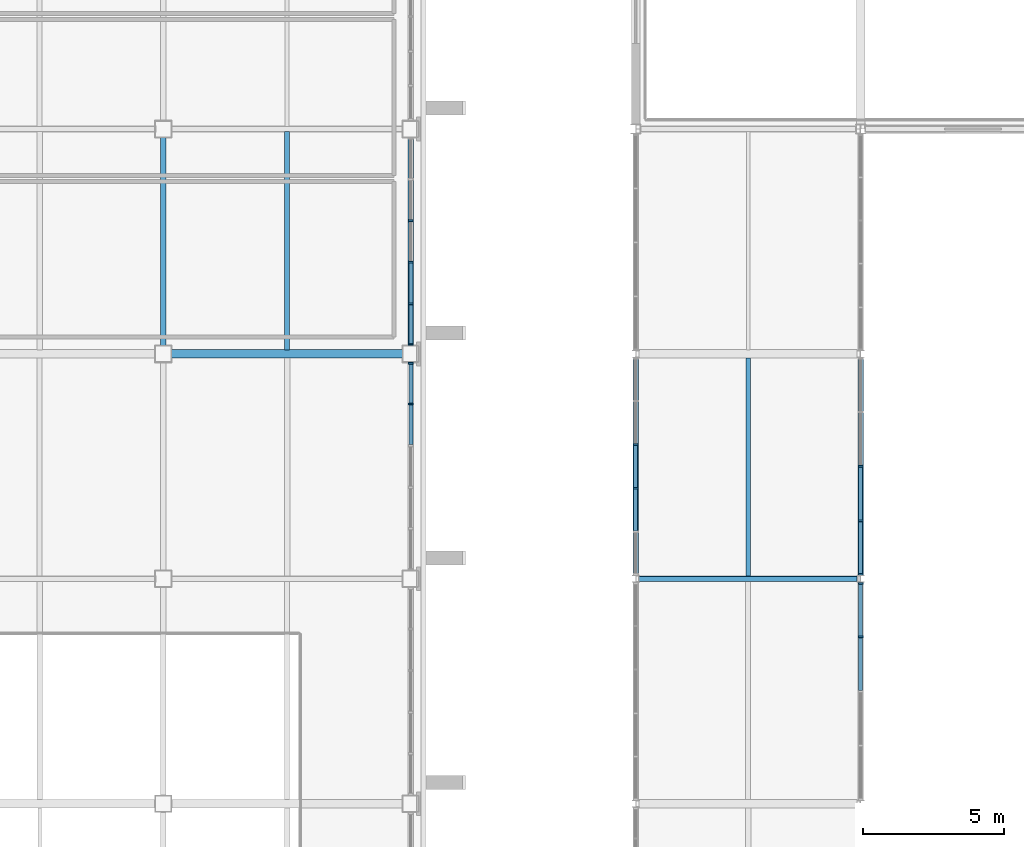
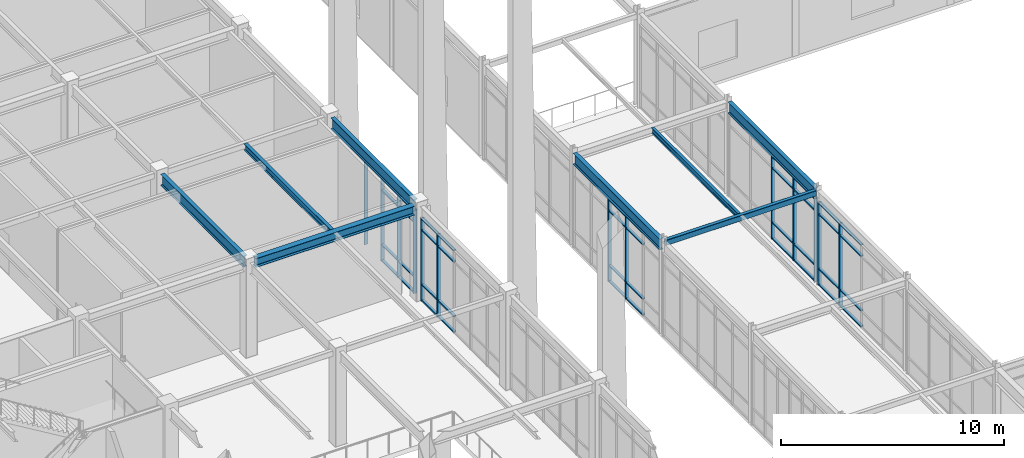
# One storey, part 42 of 184: 53 members, 8 beams, 5 elements without a shape of their own.
"""IFC4 building model written with IfcOpenShell, lengths in metres."""

import ifcopenshell
import ifcopenshell.guid

model = None  # the IFC model being written
_history = None  # IfcOwnerHistory: only IFC2X3 demands one
_inside = {}  # id of a spatial element -> (the spatial element, [elements in it])
_under = {}  # id of a project, library or spatial element -> (it, [spatial elements below it])
_declared = {}  # id of a project -> (the project, [libraries it declares])
_typed = {}  # id of a type object -> (the type object, [elements of that type])
_made_of = {}  # id of a material, layer set ... -> (it, [elements and type objects made of it])


def new_model(schema):
    """Start an empty IFC model of exactly this schema.

    Asked for "IFC4X3", IfcOpenShell would pick the latest addendum, in which some entities
    have other attributes; the version numbers below select the first issue.
    IFC2X3 requires an IfcOwnerHistory on every rooted entity: one is made here for all.
    """
    global model, _history
    if schema == "IFC4X3":
        model = ifcopenshell.file(schema_version=(4, 3, 0, 0))
    else:
        model = ifcopenshell.file(schema=schema)
    _inside.clear()
    _under.clear()
    _declared.clear()
    _typed.clear()
    _made_of.clear()
    _history = None
    if model.schema == "IFC2X3":
        org = make("IfcOrganization", Name="unknown")
        user = make(
            "IfcPersonAndOrganization",
            ThePerson=make("IfcPerson", FamilyName="unknown"),
            TheOrganization=org,
        )
        app = make(
            "IfcApplication",
            ApplicationDeveloper=org,
            Version="unknown",
            ApplicationFullName="unknown",
            ApplicationIdentifier="unknown",
        )
        _history = make(
            "IfcOwnerHistory",
            OwningUser=user,
            OwningApplication=app,
            ChangeAction="ADDED",
            CreationDate=0,
        )
    return model


def make(cls, **values):
    """One entity of the class cls with the attributes given. An attribute that is None is left unset."""
    return model.create_entity(
        cls, **{name: value for name, value in values.items() if value is not None}
    )


def rooted(cls, **values):
    """An entity with a GlobalId (a new one), such as an element, a storey or a relation."""
    return make(cls, GlobalId=ifcopenshell.guid.new(), OwnerHistory=_history, **values)


def si_unit(unit_type, name, prefix=None):
    """IfcSIUnit, for example si_unit("LENGTHUNIT", "METRE", prefix="MILLI")."""
    return make("IfcSIUnit", UnitType=unit_type, Prefix=prefix, Name=name)


def assignment(units):
    """IfcUnitAssignment: the units of a project."""
    return None if units is None else make("IfcUnitAssignment", Units=units)


def point(xyz):
    """IfcCartesianPoint."""
    return None if xyz is None else make("IfcCartesianPoint", Coordinates=xyz)


def direction(xyz):
    """IfcDirection."""
    return None if xyz is None else make("IfcDirection", DirectionRatios=xyz)


def frame(location, z_axis=None, x_axis=None):
    """IfcAxis2Placement3D, a coordinate frame: its origin and axes. An axis left out is left unset."""
    return make(
        "IfcAxis2Placement3D",
        Location=point(location),
        Axis=direction(z_axis),
        RefDirection=direction(x_axis),
    )


def frame_2d(location, x_axis=None):
    """IfcAxis2Placement2D, a coordinate frame in the plane: its origin and x axis."""
    return make(
        "IfcAxis2Placement2D", Location=point(location), RefDirection=direction(x_axis)
    )


def origin():
    """The frame at (0, 0, 0) with its axes left unset."""
    return frame((0.0, 0.0, 0.0))


def origin_2d():
    """The frame at (0, 0) in the plane with its x axis left unset."""
    return frame_2d((0.0, 0.0))


def place(relative_to, where):
    """IfcLocalPlacement: puts the frame where relative to a parent placement (None: the world)."""
    return make(
        "IfcLocalPlacement", PlacementRelTo=relative_to, RelativePlacement=where
    )


def context(
    kind, dimensions, precision=None, world=None, true_north=None, identifier=None
):
    """IfcGeometricRepresentationContext, for example the 3D "Model" context."""
    return make(
        "IfcGeometricRepresentationContext",
        ContextIdentifier=identifier,
        ContextType=kind,
        CoordinateSpaceDimension=dimensions,
        Precision=precision,
        WorldCoordinateSystem=world,
        TrueNorth=true_north,
    )


def subcontext(parent, identifier, kind, view, scale=None):
    """IfcGeometricRepresentationSubContext, for example "Body" below "Model"."""
    return make(
        "IfcGeometricRepresentationSubContext",
        ContextIdentifier=identifier,
        ContextType=kind,
        ParentContext=parent,
        TargetScale=scale,
        TargetView=view,
    )


def project(units=None, contexts=None):
    """IfcProject with its units and contexts."""
    return rooted(
        "IfcProject",
        Name="project",
        RepresentationContexts=contexts,
        UnitsInContext=assignment(units),
    )


def spatial(cls, under=None, at=None, **own):
    """A site, building, storey or space (cls), placed at a placement, below another one or the project."""
    s = rooted(cls, ObjectPlacement=at, **own)
    if under is not None:
        _under.setdefault(under.id(), (under, []))[1].append(s)
    return s


def profile(cls, at=None, kind="AREA", **sizes):
    """A parametric profile (cls). Its sizes go by their IFC names, for example OverallWidth=200.0."""
    return make(cls, ProfileType=kind, Position=at, **sizes)


def rectangle(**sizes):
    """IfcRectangleProfileDef."""
    return profile("IfcRectangleProfileDef", **sizes)


def hollow_rectangle(**sizes):
    """IfcRectangleHollowProfileDef."""
    return profile("IfcRectangleHollowProfileDef", **sizes)


def i_section(**sizes):
    """IfcIShapeProfileDef."""
    return profile("IfcIShapeProfileDef", **sizes)


def extrude(swept, where, along, depth):
    """IfcExtrudedAreaSolid: the profile swept, set in the frame where, extruded along a direction by depth."""
    return make(
        "IfcExtrudedAreaSolid",
        SweptArea=swept,
        Position=where,
        ExtrudedDirection=direction(along),
        Depth=depth,
    )


def shape(context_of_items, identifier, shape_type, items):
    """IfcShapeRepresentation: the items that make up one representation, for example the "Body"."""
    return make(
        "IfcShapeRepresentation",
        ContextOfItems=context_of_items,
        RepresentationIdentifier=identifier,
        RepresentationType=shape_type,
        Items=items,
    )


def material(Name=None, Category=None):
    """IfcMaterial."""
    return make("IfcMaterial", Name=Name, Category=Category)


def material_profile(
    of_material, cross_section, Name=None, Category=None, Priority=None
):
    """IfcMaterialProfile: a cross section and its material."""
    return make(
        "IfcMaterialProfile",
        Name=Name,
        Material=of_material,
        Profile=cross_section,
        Priority=Priority,
        Category=Category,
    )


def profile_set(profiles, Name=None, composite=None):
    """IfcMaterialProfileSet."""
    return make(
        "IfcMaterialProfileSet",
        Name=Name,
        MaterialProfiles=profiles,
        CompositeProfile=composite,
    )


def made_of(thing, what):
    """Note that an element or type object is made of a material, layer set ...; save() writes the relation."""
    if what is not None:
        _made_of.setdefault(what.id(), (what, []))[1].append(thing)
    return thing


def type_object(cls, material=None, **own):
    """A type object (cls), such as IfcWallType, which elements share."""
    return made_of(rooted(cls, **own), material)


def element(
    cls,
    number,
    at=None,
    inside=None,
    cuts=None,
    type_object=None,
    material=None,
    context=None,
    identifier="Body",
    shape_type=None,
    held_by="IfcProductDefinitionShape",
    body=None,
    shapes=None,
    **own,
):
    """One element of the class cls, such as IfcWall. Its Tag is "e" and its number.

    at: its placement. inside: the storey or other place that contains it. cuts: it is an
    opening in that element (IfcRelVoidsElement). A single representation is given by context,
    identifier, shape_type and body (its items); several are given by shapes. held_by: the class
    of the entity that holds the representations. save() writes the other relations.
    """
    e = rooted(cls, Tag="e%d" % number, ObjectPlacement=at, **own)
    if body is not None:
        shapes = [shape(context, identifier, shape_type, body)]
    if shapes is not None:
        e.Representation = make(held_by, Representations=shapes)
    if inside is not None:
        _inside.setdefault(inside.id(), (inside, []))[1].append(e)
    if cuts is not None:
        rooted(
            "IfcRelVoidsElement", RelatingBuildingElement=cuts, RelatedOpeningElement=e
        )
    if type_object is not None:
        _typed.setdefault(type_object.id(), (type_object, []))[1].append(e)
    return made_of(e, material)


def aggregate(whole, parts):
    """IfcRelAggregates: a whole, such as a stair, and the parts it consists of."""
    return rooted("IfcRelAggregates", RelatingObject=whole, RelatedObjects=parts)


def save(model, path):
    """Write the relations noted so far, then the file.

    IfcRelAggregates (storeys below a building ...), IfcRelContainedInSpatialStructure (elements
    in a storey), IfcRelDefinesByType, IfcRelAssociatesMaterial and IfcRelDeclares: one each for
    every whole, place, type object, material and project.
    """
    for whole, parts in _under.values():
        aggregate(whole, parts)
    for where, things in _inside.values():
        rooted(
            "IfcRelContainedInSpatialStructure",
            RelatedElements=things,
            RelatingStructure=where,
        )
    for kind, things in _typed.values():
        rooted("IfcRelDefinesByType", RelatedObjects=things, RelatingType=kind)
    for what, things in _made_of.values():
        rooted("IfcRelAssociatesMaterial", RelatedObjects=things, RelatingMaterial=what)
    for by, libraries in _declared.values():
        rooted("IfcRelDeclares", RelatingContext=by, RelatedDefinitions=libraries)
    model.write(path)


model = new_model("IFC4")

# Units and contexts
model_context = context("Model", 3, precision=1e-05, world=origin(), true_north=direction((0.0, 1.0)))
body_context = subcontext(model_context, "Body", "Model", "MODEL_VIEW")
ifc_project = project(units=[si_unit("LENGTHUNIT", "METRE"), si_unit("AREAUNIT", "SQUARE_METRE"), si_unit("VOLUMEUNIT", "CUBIC_METRE"), si_unit("PLANEANGLEUNIT", "RADIAN"), si_unit("MASSUNIT", "GRAM", prefix="KILO")], contexts=[model_context])

# Site, building, storey
site_placement = place(None, origin())
site = spatial("IfcSite", under=ifc_project, at=site_placement, CompositionType="ELEMENT")
building_placement = place(site_placement, origin())
building = spatial("IfcBuilding", under=site, at=building_placement, Name="Zhaolan Boulevard Law Courts", CompositionType="ELEMENT")
storey_placement = place(building_placement, frame((0.0, 0.0, 5.39990234375)))
storey = spatial("IfcBuildingStorey", under=building, at=storey_placement, Name="L01", CompositionType="ELEMENT", Elevation=5.39990234375)

# Curtain wall, members
ifc_material_1 = material(Name="Thermally broken aluminium and low-E glazing", Category="aluminium")
curtain_wall_type_1 = type_object("IfcCurtainWallType", Name="CURTAIN WALL M20", PredefinedType="USERDEFINED", material=ifc_material_1)
curtain_wall_1_placement = place(storey_placement, origin())
curtain_wall_1 = element("IfcCurtainWall", 1, at=curtain_wall_1_placement, inside=storey, type_object=curtain_wall_type_1, Name="Curtain Wall CW-L01-068", ObjectType="CURTAIN WALL", PredefinedType="USERDEFINED")
ifc_material_2 = material(Name="Fluorocarbon-coated aluminium 6063-T6", Category="aluminium")
ifc_material_profile_1 = material_profile(ifc_material_2, rectangle(XDim=0.179931640625, YDim=0.06494140625, at=origin_2d()), Name="AL65x180")
ifc_profile_set_1 = profile_set([ifc_material_profile_1], Name="Fluorocarbon-coated aluminium 6063-T6")
member_type_1 = type_object("IfcMemberType", Name="CWMULLION 65X180", PredefinedType="MULLION", material=ifc_profile_set_1)
member_1_placement = place(storey_placement, frame((52.0, 50.774658203125, 0.0), z_axis=(0.0, 0.0, 1.0), x_axis=(1.0, 0.0, 0.0)))
member_1 = element("IfcMember", 2, at=member_1_placement, type_object=member_type_1, Name="CW-L01-068 mullion 3", PredefinedType="MULLION", context=body_context, shape_type="SweptSolid", body=[
    extrude(rectangle(XDim=0.179931640625, YDim=0.06494140625, at=origin_2d()), origin(), (0.0, 0.0, 1.0), 4.533203125),
])
member_2_placement = place(storey_placement, frame((52.0, 49.225341796875, 0.0), z_axis=(0.0, 0.0, 1.0), x_axis=(1.0, 0.0, 0.0)))
member_2 = element("IfcMember", 3, at=member_2_placement, type_object=member_type_1, Name="CW-L01-068 mullion 4", PredefinedType="MULLION", context=body_context, shape_type="SweptSolid", body=[
    extrude(rectangle(XDim=0.179931640625, YDim=0.06494140625, at=origin_2d()), origin(), (0.0, 0.0, 1.0), 4.533203125),
])

ifc_material_3 = material(Name="Thermally broken aluminium and low-E glazing", Category="aluminium")
curtain_wall_type_2 = type_object("IfcCurtainWallType", Name="CURTAIN WALL M23", PredefinedType="USERDEFINED", material=ifc_material_3)
curtain_wall_2_placement = place(storey_placement, origin())
curtain_wall_2 = element("IfcCurtainWall", 4, at=curtain_wall_2_placement, inside=storey, type_object=curtain_wall_type_2, Name="Curtain Wall CW-L01-071", ObjectType="CURTAIN WALL", PredefinedType="USERDEFINED")
member_3_placement = place(storey_placement, frame((60.0, 43.9365234375, 0.0), z_axis=(0.0, 0.0, 1.0), x_axis=(-1.0, 0.0, 0.0)))
member_3 = element("IfcMember", 5, at=member_3_placement, type_object=member_type_1, Name="CW-L01-071 mullion 4", PredefinedType="MULLION", context=body_context, shape_type="SweptSolid", body=[
    extrude(rectangle(XDim=0.179931640625, YDim=0.06494140625, at=origin_2d()), origin(), (0.0, 0.0, 1.0), 4.533203125),
])
member_4_placement = place(storey_placement, frame((60.0, 45.840576171875, 0.0), z_axis=(0.0, 0.0, 1.0), x_axis=(-1.0, 0.0, 0.0)))
member_4 = element("IfcMember", 6, at=member_4_placement, type_object=member_type_1, Name="CW-L01-071 mullion 5", PredefinedType="MULLION", context=body_context, shape_type="SweptSolid", body=[
    extrude(rectangle(XDim=0.179931640625, YDim=0.06494140625, at=origin_2d()), origin(), (0.0, 0.0, 1.0), 4.533203125),
])

ifc_material_4 = material(Name="Thermally broken aluminium and low-E glazing", Category="aluminium")
curtain_wall_type_3 = type_object("IfcCurtainWallType", Name="CURTAIN WALL M24", PredefinedType="USERDEFINED", material=ifc_material_4)
curtain_wall_3_placement = place(storey_placement, origin())
curtain_wall_3 = element("IfcCurtainWall", 7, at=curtain_wall_3_placement, inside=storey, type_object=curtain_wall_type_3, Name="Curtain Wall CW-L01-072", ObjectType="CURTAIN WALL", PredefinedType="USERDEFINED")
member_5_placement = place(storey_placement, frame((60.0, 46.159423828125, 0.0), z_axis=(0.0, 0.0, 1.0), x_axis=(-1.0, 0.0, 0.0)))
member_5 = element("IfcMember", 8, at=member_5_placement, type_object=member_type_1, Name="CW-L01-072 mullion 1", PredefinedType="MULLION", context=body_context, shape_type="SweptSolid", body=[
    extrude(rectangle(XDim=0.179931640625, YDim=0.06494140625, at=origin_2d()), origin(), (0.0, 0.0, 1.0), 4.533203125),
])
member_6_placement = place(storey_placement, frame((60.0, 48.0634765625, 0.0), z_axis=(0.0, 0.0, 1.0), x_axis=(-1.0, 0.0, 0.0)))
member_6 = element("IfcMember", 9, at=member_6_placement, type_object=member_type_1, Name="CW-L01-072 mullion 2", PredefinedType="MULLION", context=body_context, shape_type="SweptSolid", body=[
    extrude(rectangle(XDim=0.179931640625, YDim=0.06494140625, at=origin_2d()), origin(), (0.0, 0.0, 1.0), 4.533203125),
])
member_7_placement = place(storey_placement, frame((60.0, 50.0, 0.0), z_axis=(0.0, 0.0, 1.0), x_axis=(-1.0, 0.0, 0.0)))
member_7 = element("IfcMember", 10, at=member_7_placement, type_object=member_type_1, Name="CW-L01-072 mullion 3", PredefinedType="MULLION", context=body_context, shape_type="SweptSolid", body=[
    extrude(rectangle(XDim=0.179931640625, YDim=0.06494140625, at=origin_2d()), origin(), (0.0, 0.0, 1.0), 4.533203125),
])

ifc_material_5 = material(Name="Thermally broken aluminium and low-E glazing", Category="aluminium")
curtain_wall_type_4 = type_object("IfcCurtainWallType", Name="CURTAIN WALL M3", PredefinedType="USERDEFINED", material=ifc_material_5)
curtain_wall_4_placement = place(storey_placement, origin())
curtain_wall_4 = element("IfcCurtainWall", 11, at=curtain_wall_4_placement, inside=storey, type_object=curtain_wall_type_4, Name="Curtain Wall CW-L01-147", ObjectType="CURTAIN WALL", PredefinedType="USERDEFINED")
member_8_placement = place(storey_placement, frame((44.0, 52.21875, 0.0), z_axis=(0.0, 0.0, 1.0), x_axis=(-1.0, 0.0, 0.0)))
member_8 = element("IfcMember", 12, at=member_8_placement, type_object=member_type_1, Name="CW-L01-147 mullion 5", PredefinedType="MULLION", context=body_context, shape_type="SweptSolid", body=[
    extrude(rectangle(XDim=0.179931640625, YDim=0.06494140625, at=origin_2d()), origin(), (0.0, 0.0, 1.0), 4.523193359375),
])
member_9_placement = place(storey_placement, frame((44.0, 53.66552734375, 0.0), z_axis=(0.0, 0.0, 1.0), x_axis=(-1.0, 0.0, 0.0)))
member_9 = element("IfcMember", 13, at=member_9_placement, type_object=member_type_1, Name="CW-L01-147 mullion 6", PredefinedType="MULLION", context=body_context, shape_type="SweptSolid", body=[
    extrude(rectangle(XDim=0.179931640625, YDim=0.06494140625, at=origin_2d()), origin(), (0.0, 0.0, 1.0), 4.523193359375),
])

ifc_material_6 = material(Name="Thermally broken aluminium and low-E glazing", Category="aluminium")
curtain_wall_type_5 = type_object("IfcCurtainWallType", Name="CURTAIN WALL M4", PredefinedType="USERDEFINED", material=ifc_material_6)
curtain_wall_5_placement = place(storey_placement, origin())
curtain_wall_5 = element("IfcCurtainWall", 14, at=curtain_wall_5_placement, inside=storey, type_object=curtain_wall_type_5, Name="Curtain Wall CW-L01-148", ObjectType="CURTAIN WALL", PredefinedType="USERDEFINED")
member_10_placement = place(storey_placement, frame((44.0, 54.33447265625, 0.0), z_axis=(0.0, 0.0, 1.0), x_axis=(-1.0, 0.0, 0.0)))
member_10 = element("IfcMember", 15, at=member_10_placement, type_object=member_type_1, Name="CW-L01-148 mullion 1", PredefinedType="MULLION", context=body_context, shape_type="SweptSolid", body=[
    extrude(rectangle(XDim=0.179931640625, YDim=0.06494140625, at=origin_2d()), origin(), (0.0, 0.0, 1.0), 4.523193359375),
])
member_11_placement = place(storey_placement, frame((44.0, 55.78125, 0.0), z_axis=(0.0, 0.0, 1.0), x_axis=(-1.0, 0.0, 0.0)))
member_11 = element("IfcMember", 16, at=member_11_placement, type_object=member_type_1, Name="CW-L01-148 mullion 2", PredefinedType="MULLION", context=body_context, shape_type="SweptSolid", body=[
    extrude(rectangle(XDim=0.179931640625, YDim=0.06494140625, at=origin_2d()), origin(), (0.0, 0.0, 1.0), 4.523193359375),
])
member_12_placement = place(storey_placement, frame((44.0, 57.260498046875, 0.0), z_axis=(0.0, 0.0, 1.0), x_axis=(-1.0, 0.0, 0.0)))
member_12 = element("IfcMember", 17, at=member_12_placement, type_object=member_type_1, Name="CW-L01-148 mullion 3", PredefinedType="MULLION", context=body_context, shape_type="SweptSolid", body=[
    extrude(rectangle(XDim=0.179931640625, YDim=0.06494140625, at=origin_2d()), origin(), (0.0, 0.0, 1.0), 4.523193359375),
])
member_13_placement = place(storey_placement, frame((44.0, 58.739501953125, 0.0), z_axis=(0.0, 0.0, 1.0), x_axis=(-1.0, 0.0, 0.0)))
member_13 = element("IfcMember", 18, at=member_13_placement, type_object=member_type_1, Name="CW-L01-148 mullion 4", PredefinedType="MULLION", context=body_context, shape_type="SweptSolid", body=[
    extrude(rectangle(XDim=0.179931640625, YDim=0.06494140625, at=origin_2d()), origin(), (0.0, 0.0, 1.0), 4.523193359375),
])

# Member
ifc_material_7 = material(Name="Fluorocarbon-coated aluminium 6063-T6", Category="aluminium")
ifc_material_profile_2 = material_profile(ifc_material_7, rectangle(XDim=0.139892578125, YDim=0.06494140625, at=origin_2d()), Name="AL65x140")
ifc_profile_set_2 = profile_set([ifc_material_profile_2], Name="Fluorocarbon-coated aluminium 6063-T6")
member_type_2 = type_object("IfcMemberType", Name="CWTRANSOM 65X140", PredefinedType="USERDEFINED", material=ifc_profile_set_2)
member_14_placement = place(storey_placement, frame((52.0, 50.7421875, 0.03271484375), z_axis=(0.0, -1.0, 0.0), x_axis=(1.0, 0.0, 0.0)))
member_14 = element("IfcMember", 19, at=member_14_placement, type_object=member_type_2, Name="CW-L01-068 transom 3.1", ObjectType="TRANSOM", PredefinedType="USERDEFINED", context=body_context, shape_type="SweptSolid", body=[
    extrude(rectangle(XDim=0.139892578125, YDim=0.06494140625, at=origin_2d()), origin(), (0.0, 0.0, 1.0), 1.484375),
])

member_15_placement = place(storey_placement, frame((52.0, 50.7421875, 0.900146484375), z_axis=(0.0, -1.0, 0.0), x_axis=(1.0, 0.0, 0.0)))
member_15 = element("IfcMember", 20, at=member_15_placement, type_object=member_type_2, Name="CW-L01-068 transom 3.2", ObjectType="TRANSOM", PredefinedType="USERDEFINED", context=body_context, shape_type="SweptSolid", body=[
    extrude(rectangle(XDim=0.139892578125, YDim=0.06494140625, at=origin_2d()), origin(), (0.0, 0.0, 1.0), 1.484375),
])

member_16_placement = place(storey_placement, frame((52.0, 50.7421875, 3.883056640625), z_axis=(0.0, -1.0, 0.0), x_axis=(1.0, 0.0, 0.0)))
member_16 = element("IfcMember", 21, at=member_16_placement, type_object=member_type_2, Name="CW-L01-068 transom 3.3", ObjectType="TRANSOM", PredefinedType="USERDEFINED", context=body_context, shape_type="SweptSolid", body=[
    extrude(rectangle(XDim=0.139892578125, YDim=0.06494140625, at=origin_2d()), origin(), (0.0, 0.0, 1.0), 1.484375),
])

member_17_placement = place(storey_placement, frame((52.0, 50.7421875, 4.50048828125), z_axis=(0.0, -1.0, 0.0), x_axis=(1.0, 0.0, 0.0)))
member_17 = element("IfcMember", 22, at=member_17_placement, type_object=member_type_2, Name="CW-L01-068 transom 3.4", ObjectType="TRANSOM", PredefinedType="USERDEFINED", context=body_context, shape_type="SweptSolid", body=[
    extrude(rectangle(XDim=0.139892578125, YDim=0.06494140625, at=origin_2d()), origin(), (0.0, 0.0, 1.0), 1.484375),
])

member_18_placement = place(storey_placement, frame((52.0, 49.19287109375, 0.03271484375), z_axis=(0.0, -1.0, 0.0), x_axis=(1.0, 0.0, 0.0)))
member_18 = element("IfcMember", 23, at=member_18_placement, type_object=member_type_2, Name="CW-L01-068 transom 4.1", ObjectType="TRANSOM", PredefinedType="USERDEFINED", context=body_context, shape_type="SweptSolid", body=[
    extrude(rectangle(XDim=0.139892578125, YDim=0.06494140625, at=origin_2d()), origin(), (0.0, 0.0, 1.0), 1.484130859375),
])

member_19_placement = place(storey_placement, frame((52.0, 49.19287109375, 0.900146484375), z_axis=(0.0, -1.0, 0.0), x_axis=(1.0, 0.0, 0.0)))
member_19 = element("IfcMember", 24, at=member_19_placement, type_object=member_type_2, Name="CW-L01-068 transom 4.2", ObjectType="TRANSOM", PredefinedType="USERDEFINED", context=body_context, shape_type="SweptSolid", body=[
    extrude(rectangle(XDim=0.139892578125, YDim=0.06494140625, at=origin_2d()), origin(), (0.0, 0.0, 1.0), 1.484130859375),
])

member_20_placement = place(storey_placement, frame((52.0, 49.19287109375, 3.883056640625), z_axis=(0.0, -1.0, 0.0), x_axis=(1.0, 0.0, 0.0)))
member_20 = element("IfcMember", 25, at=member_20_placement, type_object=member_type_2, Name="CW-L01-068 transom 4.3", ObjectType="TRANSOM", PredefinedType="USERDEFINED", context=body_context, shape_type="SweptSolid", body=[
    extrude(rectangle(XDim=0.139892578125, YDim=0.06494140625, at=origin_2d()), origin(), (0.0, 0.0, 1.0), 1.484130859375),
])

member_21_placement = place(storey_placement, frame((52.0, 49.19287109375, 4.50048828125), z_axis=(0.0, -1.0, 0.0), x_axis=(1.0, 0.0, 0.0)))
member_21 = element("IfcMember", 26, at=member_21_placement, type_object=member_type_2, Name="CW-L01-068 transom 4.4", ObjectType="TRANSOM", PredefinedType="USERDEFINED", context=body_context, shape_type="SweptSolid", body=[
    extrude(rectangle(XDim=0.139892578125, YDim=0.06494140625, at=origin_2d()), origin(), (0.0, 0.0, 1.0), 1.484130859375),
])

aggregate(curtain_wall_1, [member_1, member_2, member_14, member_15, member_16, member_17, member_18, member_19, member_20, member_21])

member_22_placement = place(storey_placement, frame((60.0, 42.032470703125, 0.03271484375), z_axis=(0.0, 1.0, 0.0), x_axis=(-1.0, 0.0, 0.0)))
member_22 = element("IfcMember", 27, at=member_22_placement, type_object=member_type_2, Name="CW-L01-071 transom 3.1", ObjectType="TRANSOM", PredefinedType="USERDEFINED", context=body_context, shape_type="SweptSolid", body=[
    extrude(rectangle(XDim=0.139892578125, YDim=0.06494140625, at=origin_2d()), origin(), (0.0, 0.0, 1.0), 1.87158203125),
])

member_23_placement = place(storey_placement, frame((60.0, 42.032470703125, 0.900146484375), z_axis=(0.0, 1.0, 0.0), x_axis=(-1.0, 0.0, 0.0)))
member_23 = element("IfcMember", 28, at=member_23_placement, type_object=member_type_2, Name="CW-L01-071 transom 3.2", ObjectType="TRANSOM", PredefinedType="USERDEFINED", context=body_context, shape_type="SweptSolid", body=[
    extrude(rectangle(XDim=0.139892578125, YDim=0.06494140625, at=origin_2d()), origin(), (0.0, 0.0, 1.0), 1.87158203125),
])

member_24_placement = place(storey_placement, frame((60.0, 42.032470703125, 3.883056640625), z_axis=(0.0, 1.0, 0.0), x_axis=(-1.0, 0.0, 0.0)))
member_24 = element("IfcMember", 29, at=member_24_placement, type_object=member_type_2, Name="CW-L01-071 transom 3.3", ObjectType="TRANSOM", PredefinedType="USERDEFINED", context=body_context, shape_type="SweptSolid", body=[
    extrude(rectangle(XDim=0.139892578125, YDim=0.06494140625, at=origin_2d()), origin(), (0.0, 0.0, 1.0), 1.87158203125),
])

member_25_placement = place(storey_placement, frame((60.0, 42.032470703125, 4.50048828125), z_axis=(0.0, 1.0, 0.0), x_axis=(-1.0, 0.0, 0.0)))
member_25 = element("IfcMember", 30, at=member_25_placement, type_object=member_type_2, Name="CW-L01-071 transom 3.4", ObjectType="TRANSOM", PredefinedType="USERDEFINED", context=body_context, shape_type="SweptSolid", body=[
    extrude(rectangle(XDim=0.139892578125, YDim=0.06494140625, at=origin_2d()), origin(), (0.0, 0.0, 1.0), 1.87158203125),
])

member_26_placement = place(storey_placement, frame((60.0, 43.968994140625, 0.03271484375), z_axis=(0.0, 1.0, 0.0), x_axis=(-1.0, 0.0, 0.0)))
member_26 = element("IfcMember", 31, at=member_26_placement, type_object=member_type_2, Name="CW-L01-071 transom 4.1", ObjectType="TRANSOM", PredefinedType="USERDEFINED", context=body_context, shape_type="SweptSolid", body=[
    extrude(rectangle(XDim=0.139892578125, YDim=0.06494140625, at=origin_2d()), origin(), (0.0, 0.0, 1.0), 1.839111328125),
])

member_27_placement = place(storey_placement, frame((60.0, 43.968994140625, 0.900146484375), z_axis=(0.0, 1.0, 0.0), x_axis=(-1.0, 0.0, 0.0)))
member_27 = element("IfcMember", 32, at=member_27_placement, type_object=member_type_2, Name="CW-L01-071 transom 4.2", ObjectType="TRANSOM", PredefinedType="USERDEFINED", context=body_context, shape_type="SweptSolid", body=[
    extrude(rectangle(XDim=0.139892578125, YDim=0.06494140625, at=origin_2d()), origin(), (0.0, 0.0, 1.0), 1.839111328125),
])

member_28_placement = place(storey_placement, frame((60.0, 43.968994140625, 3.883056640625), z_axis=(0.0, 1.0, 0.0), x_axis=(-1.0, 0.0, 0.0)))
member_28 = element("IfcMember", 33, at=member_28_placement, type_object=member_type_2, Name="CW-L01-071 transom 4.3", ObjectType="TRANSOM", PredefinedType="USERDEFINED", context=body_context, shape_type="SweptSolid", body=[
    extrude(rectangle(XDim=0.139892578125, YDim=0.06494140625, at=origin_2d()), origin(), (0.0, 0.0, 1.0), 1.839111328125),
])

member_29_placement = place(storey_placement, frame((60.0, 43.968994140625, 4.50048828125), z_axis=(0.0, 1.0, 0.0), x_axis=(-1.0, 0.0, 0.0)))
member_29 = element("IfcMember", 34, at=member_29_placement, type_object=member_type_2, Name="CW-L01-071 transom 4.4", ObjectType="TRANSOM", PredefinedType="USERDEFINED", context=body_context, shape_type="SweptSolid", body=[
    extrude(rectangle(XDim=0.139892578125, YDim=0.06494140625, at=origin_2d()), origin(), (0.0, 0.0, 1.0), 1.839111328125),
])

aggregate(curtain_wall_2, [member_3, member_4, member_22, member_23, member_24, member_25, member_26, member_27, member_28, member_29])

member_30_placement = place(storey_placement, frame((60.0, 46.19189453125, 0.03271484375), z_axis=(0.0, 1.0, 0.0), x_axis=(-1.0, 0.0, 0.0)))
member_30 = element("IfcMember", 35, at=member_30_placement, type_object=member_type_2, Name="CW-L01-072 transom 1.1", ObjectType="TRANSOM", PredefinedType="USERDEFINED", context=body_context, shape_type="SweptSolid", body=[
    extrude(rectangle(XDim=0.139892578125, YDim=0.06494140625, at=origin_2d()), origin(), (0.0, 0.0, 1.0), 1.839111328125),
])

member_31_placement = place(storey_placement, frame((60.0, 46.19189453125, 0.900146484375), z_axis=(0.0, 1.0, 0.0), x_axis=(-1.0, 0.0, 0.0)))
member_31 = element("IfcMember", 36, at=member_31_placement, type_object=member_type_2, Name="CW-L01-072 transom 1.2", ObjectType="TRANSOM", PredefinedType="USERDEFINED", context=body_context, shape_type="SweptSolid", body=[
    extrude(rectangle(XDim=0.139892578125, YDim=0.06494140625, at=origin_2d()), origin(), (0.0, 0.0, 1.0), 1.839111328125),
])

member_32_placement = place(storey_placement, frame((60.0, 46.19189453125, 3.883056640625), z_axis=(0.0, 1.0, 0.0), x_axis=(-1.0, 0.0, 0.0)))
member_32 = element("IfcMember", 37, at=member_32_placement, type_object=member_type_2, Name="CW-L01-072 transom 1.3", ObjectType="TRANSOM", PredefinedType="USERDEFINED", context=body_context, shape_type="SweptSolid", body=[
    extrude(rectangle(XDim=0.139892578125, YDim=0.06494140625, at=origin_2d()), origin(), (0.0, 0.0, 1.0), 1.839111328125),
])

member_33_placement = place(storey_placement, frame((60.0, 46.19189453125, 4.50048828125), z_axis=(0.0, 1.0, 0.0), x_axis=(-1.0, 0.0, 0.0)))
member_33 = element("IfcMember", 38, at=member_33_placement, type_object=member_type_2, Name="CW-L01-072 transom 1.4", ObjectType="TRANSOM", PredefinedType="USERDEFINED", context=body_context, shape_type="SweptSolid", body=[
    extrude(rectangle(XDim=0.139892578125, YDim=0.06494140625, at=origin_2d()), origin(), (0.0, 0.0, 1.0), 1.839111328125),
])

member_34_placement = place(storey_placement, frame((60.0, 48.095947265625, 0.03271484375), z_axis=(0.0, 1.0, 0.0), x_axis=(-1.0, 0.0, 0.0)))
member_34 = element("IfcMember", 39, at=member_34_placement, type_object=member_type_2, Name="CW-L01-072 transom 2.1", ObjectType="TRANSOM", PredefinedType="USERDEFINED", context=body_context, shape_type="SweptSolid", body=[
    extrude(rectangle(XDim=0.139892578125, YDim=0.06494140625, at=origin_2d()), origin(), (0.0, 0.0, 1.0), 1.87158203125),
])

member_35_placement = place(storey_placement, frame((60.0, 48.095947265625, 0.900146484375), z_axis=(0.0, 1.0, 0.0), x_axis=(-1.0, 0.0, 0.0)))
member_35 = element("IfcMember", 40, at=member_35_placement, type_object=member_type_2, Name="CW-L01-072 transom 2.2", ObjectType="TRANSOM", PredefinedType="USERDEFINED", context=body_context, shape_type="SweptSolid", body=[
    extrude(rectangle(XDim=0.139892578125, YDim=0.06494140625, at=origin_2d()), origin(), (0.0, 0.0, 1.0), 1.87158203125),
])

member_36_placement = place(storey_placement, frame((60.0, 48.095947265625, 3.883056640625), z_axis=(0.0, 1.0, 0.0), x_axis=(-1.0, 0.0, 0.0)))
member_36 = element("IfcMember", 41, at=member_36_placement, type_object=member_type_2, Name="CW-L01-072 transom 2.3", ObjectType="TRANSOM", PredefinedType="USERDEFINED", context=body_context, shape_type="SweptSolid", body=[
    extrude(rectangle(XDim=0.139892578125, YDim=0.06494140625, at=origin_2d()), origin(), (0.0, 0.0, 1.0), 1.87158203125),
])

member_37_placement = place(storey_placement, frame((60.0, 48.095947265625, 4.50048828125), z_axis=(0.0, 1.0, 0.0), x_axis=(-1.0, 0.0, 0.0)))
member_37 = element("IfcMember", 42, at=member_37_placement, type_object=member_type_2, Name="CW-L01-072 transom 2.4", ObjectType="TRANSOM", PredefinedType="USERDEFINED", context=body_context, shape_type="SweptSolid", body=[
    extrude(rectangle(XDim=0.139892578125, YDim=0.06494140625, at=origin_2d()), origin(), (0.0, 0.0, 1.0), 1.87158203125),
])

aggregate(curtain_wall_3, [member_5, member_6, member_7, member_30, member_31, member_32, member_33, member_34, member_35, member_36, member_37])

member_38_placement = place(storey_placement, frame((44.0, 50.772216796875, 0.03271484375), z_axis=(0.0, 1.0, 0.0), x_axis=(-1.0, 0.0, 0.0)))
member_38 = element("IfcMember", 43, at=member_38_placement, type_object=member_type_2, Name="CW-L01-147 transom 4.1", ObjectType="TRANSOM", PredefinedType="USERDEFINED", context=body_context, shape_type="SweptSolid", body=[
    extrude(rectangle(XDim=0.139892578125, YDim=0.06494140625, at=origin_2d()), origin(), (0.0, 0.0, 1.0), 1.4140625),
])

member_39_placement = place(storey_placement, frame((44.0, 50.772216796875, 0.900146484375), z_axis=(0.0, 1.0, 0.0), x_axis=(-1.0, 0.0, 0.0)))
member_39 = element("IfcMember", 44, at=member_39_placement, type_object=member_type_2, Name="CW-L01-147 transom 4.2", ObjectType="TRANSOM", PredefinedType="USERDEFINED", context=body_context, shape_type="SweptSolid", body=[
    extrude(rectangle(XDim=0.139892578125, YDim=0.06494140625, at=origin_2d()), origin(), (0.0, 0.0, 1.0), 1.4140625),
])

member_40_placement = place(storey_placement, frame((44.0, 50.772216796875, 3.873046875), z_axis=(0.0, 1.0, 0.0), x_axis=(-1.0, 0.0, 0.0)))
member_40 = element("IfcMember", 45, at=member_40_placement, type_object=member_type_2, Name="CW-L01-147 transom 4.3", ObjectType="TRANSOM", PredefinedType="USERDEFINED", context=body_context, shape_type="SweptSolid", body=[
    extrude(rectangle(XDim=0.139892578125, YDim=0.06494140625, at=origin_2d()), origin(), (0.0, 0.0, 1.0), 1.4140625),
])

member_41_placement = place(storey_placement, frame((44.0, 50.772216796875, 4.490478515625), z_axis=(0.0, 1.0, 0.0), x_axis=(-1.0, 0.0, 0.0)))
member_41 = element("IfcMember", 46, at=member_41_placement, type_object=member_type_2, Name="CW-L01-147 transom 4.4", ObjectType="TRANSOM", PredefinedType="USERDEFINED", context=body_context, shape_type="SweptSolid", body=[
    extrude(rectangle(XDim=0.139892578125, YDim=0.06494140625, at=origin_2d()), origin(), (0.0, 0.0, 1.0), 1.4140625),
])

member_42_placement = place(storey_placement, frame((44.0, 52.251220703125, 0.03271484375), z_axis=(0.0, 1.0, 0.0), x_axis=(-1.0, 0.0, 0.0)))
member_42 = element("IfcMember", 47, at=member_42_placement, type_object=member_type_2, Name="CW-L01-147 transom 5.1", ObjectType="TRANSOM", PredefinedType="USERDEFINED", context=body_context, shape_type="SweptSolid", body=[
    extrude(rectangle(XDim=0.139892578125, YDim=0.06494140625, at=origin_2d()), origin(), (0.0, 0.0, 1.0), 1.3818359375),
])

member_43_placement = place(storey_placement, frame((44.0, 52.251220703125, 0.900146484375), z_axis=(0.0, 1.0, 0.0), x_axis=(-1.0, 0.0, 0.0)))
member_43 = element("IfcMember", 48, at=member_43_placement, type_object=member_type_2, Name="CW-L01-147 transom 5.2", ObjectType="TRANSOM", PredefinedType="USERDEFINED", context=body_context, shape_type="SweptSolid", body=[
    extrude(rectangle(XDim=0.139892578125, YDim=0.06494140625, at=origin_2d()), origin(), (0.0, 0.0, 1.0), 1.3818359375),
])

member_44_placement = place(storey_placement, frame((44.0, 52.251220703125, 3.873046875), z_axis=(0.0, 1.0, 0.0), x_axis=(-1.0, 0.0, 0.0)))
member_44 = element("IfcMember", 49, at=member_44_placement, type_object=member_type_2, Name="CW-L01-147 transom 5.3", ObjectType="TRANSOM", PredefinedType="USERDEFINED", context=body_context, shape_type="SweptSolid", body=[
    extrude(rectangle(XDim=0.139892578125, YDim=0.06494140625, at=origin_2d()), origin(), (0.0, 0.0, 1.0), 1.3818359375),
])

member_45_placement = place(storey_placement, frame((44.0, 52.251220703125, 4.490478515625), z_axis=(0.0, 1.0, 0.0), x_axis=(-1.0, 0.0, 0.0)))
member_45 = element("IfcMember", 50, at=member_45_placement, type_object=member_type_2, Name="CW-L01-147 transom 5.4", ObjectType="TRANSOM", PredefinedType="USERDEFINED", context=body_context, shape_type="SweptSolid", body=[
    extrude(rectangle(XDim=0.139892578125, YDim=0.06494140625, at=origin_2d()), origin(), (0.0, 0.0, 1.0), 1.3818359375),
])

aggregate(curtain_wall_4, [member_8, member_9, member_38, member_39, member_40, member_41, member_42, member_43, member_44, member_45])

member_46_placement = place(storey_placement, frame((44.0, 54.366943359375, 0.03271484375), z_axis=(0.0, 1.0, 0.0), x_axis=(-1.0, 0.0, 0.0)))
member_46 = element("IfcMember", 51, at=member_46_placement, type_object=member_type_2, Name="CW-L01-148 transom 1.1", ObjectType="TRANSOM", PredefinedType="USERDEFINED", context=body_context, shape_type="SweptSolid", body=[
    extrude(rectangle(XDim=0.139892578125, YDim=0.06494140625, at=origin_2d()), origin(), (0.0, 0.0, 1.0), 1.3818359375),
])

member_47_placement = place(storey_placement, frame((44.0, 54.366943359375, 0.900146484375), z_axis=(0.0, 1.0, 0.0), x_axis=(-1.0, 0.0, 0.0)))
member_47 = element("IfcMember", 52, at=member_47_placement, type_object=member_type_2, Name="CW-L01-148 transom 1.2", ObjectType="TRANSOM", PredefinedType="USERDEFINED", context=body_context, shape_type="SweptSolid", body=[
    extrude(rectangle(XDim=0.139892578125, YDim=0.06494140625, at=origin_2d()), origin(), (0.0, 0.0, 1.0), 1.3818359375),
])

member_48_placement = place(storey_placement, frame((44.0, 54.366943359375, 3.873046875), z_axis=(0.0, 1.0, 0.0), x_axis=(-1.0, 0.0, 0.0)))
member_48 = element("IfcMember", 53, at=member_48_placement, type_object=member_type_2, Name="CW-L01-148 transom 1.3", ObjectType="TRANSOM", PredefinedType="USERDEFINED", context=body_context, shape_type="SweptSolid", body=[
    extrude(rectangle(XDim=0.139892578125, YDim=0.06494140625, at=origin_2d()), origin(), (0.0, 0.0, 1.0), 1.3818359375),
])

member_49_placement = place(storey_placement, frame((44.0, 54.366943359375, 4.490478515625), z_axis=(0.0, 1.0, 0.0), x_axis=(-1.0, 0.0, 0.0)))
member_49 = element("IfcMember", 54, at=member_49_placement, type_object=member_type_2, Name="CW-L01-148 transom 1.4", ObjectType="TRANSOM", PredefinedType="USERDEFINED", context=body_context, shape_type="SweptSolid", body=[
    extrude(rectangle(XDim=0.139892578125, YDim=0.06494140625, at=origin_2d()), origin(), (0.0, 0.0, 1.0), 1.3818359375),
])

member_50_placement = place(storey_placement, frame((44.0, 55.813720703125, 0.03271484375), z_axis=(0.0, 1.0, 0.0), x_axis=(-1.0, 0.0, 0.0)))
member_50 = element("IfcMember", 55, at=member_50_placement, type_object=member_type_2, Name="CW-L01-148 transom 2.1", ObjectType="TRANSOM", PredefinedType="USERDEFINED", context=body_context, shape_type="SweptSolid", body=[
    extrude(rectangle(XDim=0.139892578125, YDim=0.06494140625, at=origin_2d()), origin(), (0.0, 0.0, 1.0), 1.4140625),
])

member_51_placement = place(storey_placement, frame((44.0, 55.813720703125, 0.900146484375), z_axis=(0.0, 1.0, 0.0), x_axis=(-1.0, 0.0, 0.0)))
member_51 = element("IfcMember", 56, at=member_51_placement, type_object=member_type_2, Name="CW-L01-148 transom 2.2", ObjectType="TRANSOM", PredefinedType="USERDEFINED", context=body_context, shape_type="SweptSolid", body=[
    extrude(rectangle(XDim=0.139892578125, YDim=0.06494140625, at=origin_2d()), origin(), (0.0, 0.0, 1.0), 1.4140625),
])

member_52_placement = place(storey_placement, frame((44.0, 55.813720703125, 3.873046875), z_axis=(0.0, 1.0, 0.0), x_axis=(-1.0, 0.0, 0.0)))
member_52 = element("IfcMember", 57, at=member_52_placement, type_object=member_type_2, Name="CW-L01-148 transom 2.3", ObjectType="TRANSOM", PredefinedType="USERDEFINED", context=body_context, shape_type="SweptSolid", body=[
    extrude(rectangle(XDim=0.139892578125, YDim=0.06494140625, at=origin_2d()), origin(), (0.0, 0.0, 1.0), 1.4140625),
])

member_53_placement = place(storey_placement, frame((44.0, 55.813720703125, 4.490478515625), z_axis=(0.0, 1.0, 0.0), x_axis=(-1.0, 0.0, 0.0)))
member_53 = element("IfcMember", 58, at=member_53_placement, type_object=member_type_2, Name="CW-L01-148 transom 2.4", ObjectType="TRANSOM", PredefinedType="USERDEFINED", context=body_context, shape_type="SweptSolid", body=[
    extrude(rectangle(XDim=0.139892578125, YDim=0.06494140625, at=origin_2d()), origin(), (0.0, 0.0, 1.0), 1.4140625),
])

aggregate(curtain_wall_5, [member_10, member_11, member_12, member_13, member_46, member_47, member_48, member_49, member_50, member_51, member_52, member_53])

# Beams
ifc_material_8 = material(Name="Structural steel Q355B", Category="steel")
ifc_material_profile_3 = material_profile(ifc_material_8, i_section(OverallWidth=0.300048828125, OverallDepth=0.488037109375, WebThickness=0.010986328125, FlangeThickness=0.01806640625, FilletRadius=0.02197265625, at=origin_2d()), Name="HM488x300")
ifc_profile_set_3 = profile_set([ifc_material_profile_3], Name="Structural steel Q355B")
beam_type_1 = type_object("IfcBeamType", Name="GIRDER HM500", PredefinedType="BEAM", material=ifc_profile_set_3)
beam_1_placement = place(storey_placement, frame((35.49609375, 54.0, 4.89404296875), z_axis=(1.0, 0.0, 0.0), x_axis=(0.0, 1.0, 0.0)))
element("IfcBeam", 59, at=beam_1_placement, inside=storey, type_object=beam_type_1, Name="Beam BX-L02-5-6-H", PredefinedType="BEAM", context=body_context, shape_type="SweptSolid", body=[
    extrude(i_section(OverallWidth=0.300048828125, OverallDepth=0.488037109375, WebThickness=0.010986328125, FlangeThickness=0.01806640625, FilletRadius=0.02197265625, at=origin_2d()), origin(), (0.0, 0.0, 1.0), 8.2080078125),
])
ifc_material_9 = material(Name="Structural steel Q355B", Category="steel")
ifc_material_profile_4 = material_profile(ifc_material_9, i_section(OverallWidth=0.199951171875, OverallDepth=0.60009765625, WebThickness=0.010986328125, FlangeThickness=0.01708984375, FilletRadius=0.02001953125, at=origin_2d()), Name="HN600x200")
ifc_profile_set_4 = profile_set([ifc_material_profile_4], Name="Structural steel Q355B")
beam_type_2 = type_object("IfcBeamType", Name="GIRDER HN600", PredefinedType="BEAM", material=ifc_profile_set_4)
for number, where, z_axis, x_axis, name in (
    (60, (35.199951171875, 54.2958984375, 4.838134765625), (0.0, 1.0, 0.0), (-1.0, 0.0, 0.0), "Beam BY-L02-5-H-J"),
    (61, (44.0, 54.2958984375, 4.838134765625), (0.0, 1.0, 0.0), (-1.0, 0.0, 0.0), "Beam BY-L02-6-H-J"),
):
    element("IfcBeam", number, at=place(storey_placement, frame(where, z_axis=z_axis, x_axis=x_axis)), inside=storey, type_object=beam_type_2, Name=name, PredefinedType="BEAM", context=body_context, shape_type="SweptSolid", body=[
        extrude(i_section(OverallWidth=0.199951171875, OverallDepth=0.60009765625, WebThickness=0.010986328125, FlangeThickness=0.01708984375, FilletRadius=0.02001953125, at=origin_2d()), origin(), (0.0, 0.0, 1.0), 7.408203125),
    ])
for number, where, z_axis, x_axis, name in (
    (62, (52.0, 46.12109375, 4.84814453125), (0.0, 1.0, 0.0), (-1.0, 0.0, 0.0), "Beam BY-L02-7-G-H"),
    (63, (60.0, 46.12109375, 4.84814453125), (0.0, 1.0, 0.0), (-1.0, 0.0, 0.0), "Beam BY-L02-8-G-H"),
):
    element("IfcBeam", number, at=place(storey_placement, frame(where, z_axis=z_axis, x_axis=x_axis)), inside=storey, type_object=beam_type_2, Name=name, PredefinedType="BEAM", context=body_context, shape_type="SweptSolid", body=[
        extrude(i_section(OverallWidth=0.199951171875, OverallDepth=0.60009765625, WebThickness=0.010986328125, FlangeThickness=0.01708984375, FilletRadius=0.02001953125, at=origin_2d()), origin(), (0.0, 0.0, 1.0), 7.7578125),
    ])
ifc_material_10 = material(Name="Structural steel Q355B", Category="steel")
ifc_material_profile_5 = material_profile(ifc_material_10, i_section(OverallWidth=0.14990234375, OverallDepth=0.300048828125, WebThickness=0.006591796875, FlangeThickness=0.009033203125, FilletRadius=0.010986328125, at=origin_2d()), Name="HN300x150")
ifc_profile_set_5 = profile_set([ifc_material_profile_5], Name="Structural steel Q355B")
beam_type_3 = type_object("IfcBeamType", Name="JOIST HN300", PredefinedType="JOIST", material=ifc_profile_set_5)
beam_2_placement = place(storey_placement, frame((56.0, 46.095947265625, 4.998046875), z_axis=(0.0, 1.0, 0.0), x_axis=(-1.0, 0.0, 0.0)))
element("IfcBeam", 64, at=beam_2_placement, inside=storey, type_object=beam_type_3, Name="Composite Joist J-L02-7G", PredefinedType="JOIST", context=body_context, shape_type="SweptSolid", body=[
    extrude(i_section(OverallWidth=0.14990234375, OverallDepth=0.300048828125, WebThickness=0.006591796875, FlangeThickness=0.009033203125, FilletRadius=0.010986328125, at=origin_2d()), origin(), (0.0, 0.0, 1.0), 7.758056640625),
])
ifc_material_11 = material(Name="Structural steel Q355B", Category="steel")
ifc_material_profile_6 = material_profile(ifc_material_11, i_section(OverallWidth=0.175048828125, OverallDepth=0.35009765625, WebThickness=0.007080078125, FlangeThickness=0.010986328125, FilletRadius=0.012939453125, at=origin_2d()), Name="HN350x175")
ifc_profile_set_6 = profile_set([ifc_material_profile_6], Name="Structural steel Q355B")
beam_type_4 = type_object("IfcBeamType", Name="JOIST HN350", PredefinedType="JOIST", material=ifc_profile_set_6)
beam_3_placement = place(storey_placement, frame((39.60009765625, 54.14599609375, 4.963134765625), z_axis=(0.0, 1.0, 0.0), x_axis=(-1.0, 0.0, 0.0)))
element("IfcBeam", 65, at=beam_3_placement, inside=storey, type_object=beam_type_4, Name="Composite Joist J-L02-5H", PredefinedType="JOIST", context=body_context, shape_type="SweptSolid", body=[
    extrude(i_section(OverallWidth=0.175048828125, OverallDepth=0.35009765625, WebThickness=0.007080078125, FlangeThickness=0.010986328125, FilletRadius=0.012939453125, at=origin_2d()), origin(), (0.0, 0.0, 1.0), 7.758056640625),
])
ifc_material_12 = material(Name="Structural steel Q355B", Category="steel")
ifc_material_profile_7 = material_profile(ifc_material_12, hollow_rectangle(XDim=0.199951171875, YDim=0.300048828125, WallThickness=0.011962890625, InnerFilletRadius=0.011962890625, OuterFilletRadius=0.02392578125, at=origin_2d()), Name="HSS300x200x12")
ifc_profile_set_7 = profile_set([ifc_material_profile_7], Name="Structural steel Q355B")
beam_type_5 = type_object("IfcBeamType", Name="SPANDREL HSS300", PredefinedType="SPANDREL", material=ifc_profile_set_7)
beam_4_placement = place(storey_placement, frame((52.12109375, 46.0, 4.998046875), z_axis=(1.0, 0.0, 0.0), x_axis=(0.0, 1.0, 0.0)))
element("IfcBeam", 66, at=beam_4_placement, inside=storey, type_object=beam_type_5, Name="Beam BX-L02-7-8-G", PredefinedType="SPANDREL", context=body_context, shape_type="SweptSolid", body=[
    extrude(hollow_rectangle(XDim=0.199951171875, YDim=0.300048828125, WallThickness=0.011962890625, InnerFilletRadius=0.011962890625, OuterFilletRadius=0.02392578125, at=origin_2d()), origin(), (0.0, 0.0, 1.0), 7.7578125),
])

save(model, "model.ifc")
